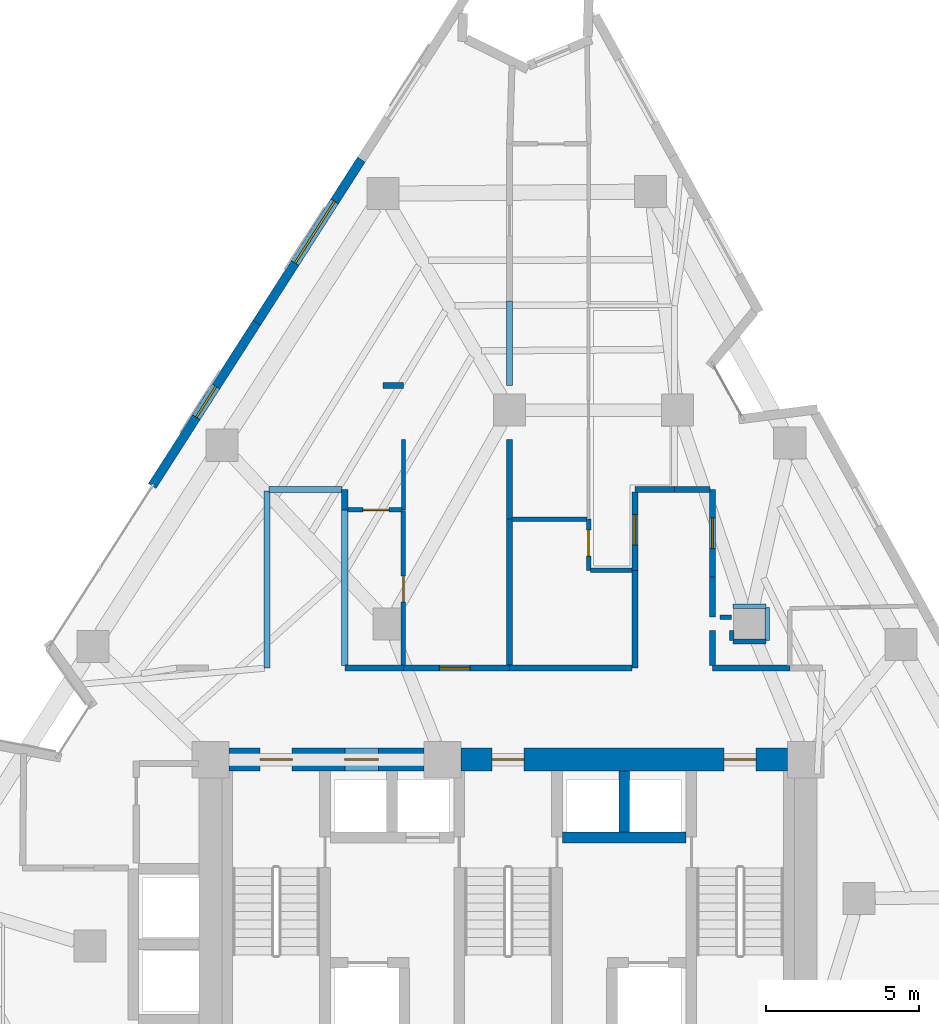
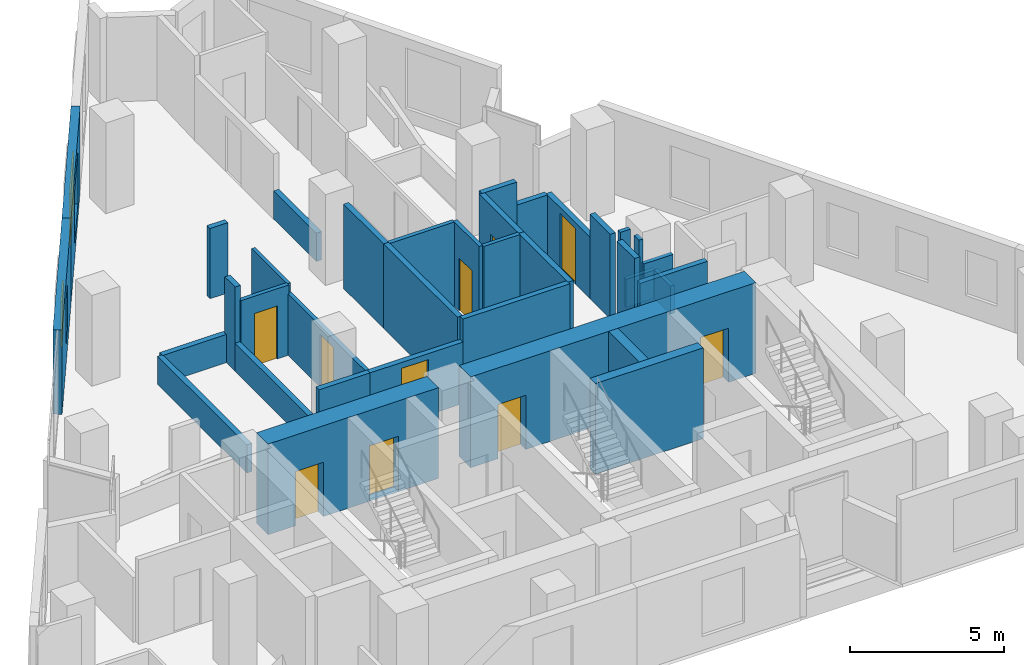
# One storey, part 6 of 10: 36 walls, 10 doors, 2 windows, 12 openings.
"""IFC4 building model written with IfcOpenShell, lengths in metres."""

from ifc_helpers import new_model, si_unit, direction, frame, frame_2d, origin, place, context, subcontext, project, spatial, rectangle, extrude, material, layer, layer_set, type_object, element, fill, save


model = new_model("IFC4")

# Units and contexts
model_context = context("Model", 3, precision=1e-05, world=origin(), true_north=direction((0.0, 1.0)))
body_context = subcontext(model_context, "Body", "Model", "MODEL_VIEW")
ifc_project = project(units=[si_unit("LENGTHUNIT", "METRE"), si_unit("AREAUNIT", "SQUARE_METRE"), si_unit("VOLUMEUNIT", "CUBIC_METRE"), si_unit("PLANEANGLEUNIT", "RADIAN"), si_unit("MASSUNIT", "GRAM", prefix="KILO")], contexts=[model_context])

# Site, building, storey
site_placement = place(None, origin())
site = spatial("IfcSite", under=ifc_project, at=site_placement, CompositionType="ELEMENT")
building_placement = place(site_placement, origin())
building = spatial("IfcBuilding", under=site, at=building_placement, Name="Almagre Mirador Tower", CompositionType="ELEMENT")
storey_placement = place(building_placement, frame((0.0, 0.0, 171.60009765625)))
storey = spatial("IfcBuildingStorey", under=building, at=storey_placement, Name="L44", CompositionType="ELEMENT", Elevation=171.60009765625)

# Wall, opening, window
ifc_material_1 = material(Name="Precast concrete C50/60", Category="concrete")
ifc_layer_1 = layer(ifc_material_1, 0.300048828125)
ifc_layer_set_1 = layer_set([ifc_layer_1], Name="Precast concrete C50/60")
wall_type_1 = type_object("IfcWallType", Name="WAL-EXT-300", PredefinedType="SOLIDWALL", material=ifc_layer_set_1)
wall_1_placement = place(storey_placement, frame((25.6416015625, 23.712890625, 0.0), z_axis=(0.0, 0.0, 1.0), x_axis=(0.539505373447, 0.841982156593, 0.0)))
wall_1 = element("IfcWall", 1, at=wall_1_placement, inside=storey, type_object=wall_type_1, Name="L44 expressed almagre precast frame wall 03", PredefinedType="SOLIDWALL", context=body_context, shape_type="SweptSolid", body=[
    extrude(rectangle(XDim=6.348876953125, YDim=0.300048828125, at=frame_2d((3.17431640625, 0.0))), origin(), (0.0, 0.0, 1.0), 3.349853515625),
])
opening_1_placement = place(wall_1_placement, frame((2.675048828125, 0.0, 0.800048828125)))
opening_1 = element("IfcOpeningElement", 2, at=opening_1_placement, cuts=wall_1, Name="Opening WN-04", PredefinedType="OPENING", context=body_context, shape_type="SweptSolid", body=[
    extrude(rectangle(XDim=1.199951171875, YDim=1.800048828125, at=frame_2d((0.60009765625, 0.89990234375))), frame((0.0, 0.159902, 0.0), z_axis=(0.0, -1.0, 0.0), x_axis=(1.0, 0.0, 0.0)), (0.0, 0.0, 1.0), 0.320049),
])
ifc_material_2 = material(Name="Dark solar-control laminated hurricane glass", Category="glass")
window_type_1 = type_object("IfcWindowType", Name="WIN-1200X1800", PartitioningType="SINGLE_PANEL", PredefinedType="WINDOW", material=ifc_material_2)
window_1_placement = place(opening_1_placement, origin())
window_1 = element("IfcWindow", 3, at=window_1_placement, inside=storey, type_object=window_type_1, Name="L44 recessed hurricane window L44-UD-ST", OverallHeight=1.800048828125, OverallWidth=1.199951171875, PartitioningType="SINGLE_PANEL", PredefinedType="WINDOW", context=body_context, shape_type="SweptSolid", body=[
    extrude(rectangle(XDim=1.199951171875, YDim=1.800048828125, at=frame_2d((0.60009765625, 0.89990234375))), frame((0.0, 0.030029296875, 0.0), z_axis=(0.0, -1.0, 0.0), x_axis=(1.0, 0.0, 0.0)), (0.0, 0.0, 1.0), 0.06005859375),
])
fill(opening_1, window_1)

wall_2_placement = place(storey_placement, frame((29.06689453125, 29.05859375, 0.0), z_axis=(0.0, 0.0, 1.0), x_axis=(0.539505373447, 0.841982156593, 0.0)))
wall_2 = element("IfcWall", 4, at=wall_2_placement, inside=storey, type_object=wall_type_1, Name="L44 expressed almagre precast frame wall 04", PredefinedType="SOLIDWALL", context=body_context, shape_type="SweptSolid", body=[
    extrude(rectangle(XDim=6.348876953125, YDim=0.300048828125, at=frame_2d((3.17431640625, 0.0))), origin(), (0.0, 0.0, 1.0), 3.349853515625),
])
opening_2_placement = place(wall_2_placement, frame((2.324951171875, 0.0, 0.60009765625)))
opening_2 = element("IfcOpeningElement", 5, at=opening_2_placement, cuts=wall_2, Name="Opening WN-02", PredefinedType="OPENING", context=body_context, shape_type="SweptSolid", body=[
    extrude(rectangle(XDim=2.39990234375, YDim=2.10009765625, at=frame_2d((1.199951171875, 1.050048828125))), frame((0.0, 0.159902, 0.0), z_axis=(0.0, -1.0, 0.0), x_axis=(1.0, 0.0, 0.0)), (0.0, 0.0, 1.0), 0.320049),
])
ifc_material_3 = material(Name="Dark solar-control laminated hurricane glass", Category="glass")
window_type_2 = type_object("IfcWindowType", Name="WIN-2400X2100", PartitioningType="TRIPLE_PANEL_VERTICAL", PredefinedType="WINDOW", material=ifc_material_3)
window_2_placement = place(opening_2_placement, origin())
window_2 = element("IfcWindow", 6, at=window_2_placement, inside=storey, type_object=window_type_2, Name="L44 recessed hurricane window L44-UG-BT", OverallHeight=2.10009765625, OverallWidth=2.39990234375, PartitioningType="SINGLE_PANEL", PredefinedType="WINDOW", context=body_context, shape_type="SweptSolid", body=[
    extrude(rectangle(XDim=2.39990234375, YDim=2.10009765625, at=frame_2d((1.199951171875, 1.050048828125))), frame((0.0, 0.030029296875, 0.0), z_axis=(0.0, -1.0, 0.0), x_axis=(1.0, 0.0, 0.0)), (0.0, 0.0, 1.0), 0.06005859375),
])
fill(opening_2, window_2)

# Wall
ifc_material_4 = material(Name="Gypsum acoustic stud partition", Category="other")
ifc_layer_2 = layer(ifc_material_4, 0.125)
ifc_layer_set_2 = layer_set([ifc_layer_2], Name="Gypsum acoustic stud partition")
wall_type_2 = type_object("IfcWallType", Name="WAL-PRT-125-UTL", PredefinedType="PARTITIONING", material=ifc_layer_set_2)
wall_3_placement = place(storey_placement, frame((33.8701171875, 22.929931640625, 0.0), z_axis=(0.0, 0.0, 1.0), x_axis=(0.0, 1.0, 0.0)))
element("IfcWall", 7, at=wall_3_placement, inside=storey, type_object=wall_type_2, Name="L44 interior partition 046", PredefinedType="PARTITIONING", context=body_context, shape_type="SweptSolid", body=[
    extrude(rectangle(XDim=2.31005859375, YDim=0.125, at=frame_2d((1.155029296875, 0.0))), origin(), (0.0, 0.0, 1.0), 2.786865234375),
])

# Wall, opening, door
ifc_material_5 = material(Name="Gypsum acoustic stud partition", Category="other")
ifc_layer_3 = layer(ifc_material_5, 0.14990234375)
ifc_layer_set_3 = layer_set([ifc_layer_3], Name="Gypsum acoustic stud partition")
wall_type_3 = type_object("IfcWallType", Name="WAL-PRT-150-STD", PredefinedType="PARTITIONING", material=ifc_layer_set_3)
wall_4_placement = place(storey_placement, frame((32.034912109375, 22.929931640625, 0.0), z_axis=(0.0, 0.0, 1.0), x_axis=(1.0, 0.0, 0.0)))
wall_4 = element("IfcWall", 8, at=wall_4_placement, inside=storey, type_object=wall_type_3, Name="L44 interior partition 047", PredefinedType="PARTITIONING", context=body_context, shape_type="SweptSolid", body=[
    extrude(rectangle(XDim=1.78759765625, YDim=0.14990234375, at=frame_2d((0.893798828125, 0.0))), origin(), (0.0, 0.0, 1.0), 2.786865234375),
])
opening_3_placement = place(wall_4_placement, frame((0.50634765625, 0.0, 0.0)))
opening_3 = element("IfcOpeningElement", 9, at=opening_3_placement, cuts=wall_4, Name="Opening UD-04", PredefinedType="OPENING", context=body_context, shape_type="SweptSolid", body=[
    extrude(rectangle(XDim=0.85009765625, YDim=2.10009765625, at=frame_2d((0.425048828125, 1.050048828125))), frame((0.0, 0.084951, 0.0), z_axis=(0.0, -1.0, 0.0), x_axis=(1.0, 0.0, 0.0)), (0.0, 0.0, 1.0), 0.169902),
])
ifc_material_6 = material(Name="Moisture-resistant oak timber", Category="wood")
door_type_1 = type_object("IfcDoorType", Name="DOR-UNR-850X2100", OperationType="NOTDEFINED", PredefinedType="DOOR", material=ifc_material_6)
door_1_placement = place(opening_3_placement, origin())
door_1 = element("IfcDoor", 10, at=door_1_placement, inside=storey, type_object=door_type_1, Name="DR-1411 L44 interior door L44-UE-ST to L44-UE-BT", OperationType="SINGLE_SWING_RIGHT", OverallHeight=2.10009765625, OverallWidth=0.85009765625, PredefinedType="DOOR", context=body_context, shape_type="SweptSolid", body=[
    extrude(rectangle(XDim=0.85009765625, YDim=2.10009765625, at=frame_2d((0.425048828125, 1.050048828125))), frame((0.0, 0.02490234375, 0.0), z_axis=(0.0, -1.0, 0.0), x_axis=(1.0, 0.0, 0.0)), (0.0, 0.0, 1.0), 0.050048828125),
])
fill(opening_3, door_1)

wall_5_placement = place(storey_placement, frame((33.8701171875, 22.91748046875, 0.0), z_axis=(0.0, 0.0, 1.0), x_axis=(0.0, -1.0, 0.0)))
wall_5 = element("IfcWall", 11, at=wall_5_placement, inside=storey, type_object=wall_type_3, Name="L44 interior partition 049", PredefinedType="PARTITIONING", context=body_context, shape_type="SweptSolid", body=[
    extrude(rectangle(XDim=5.08251953125, YDim=0.14990234375, at=frame_2d((2.541259765625, 0.0))), origin(), (0.0, 0.0, 1.0), 2.435791015625),
])
opening_4_placement = place(wall_5_placement, frame((2.152587890625, 0.0, 0.0)))
opening_4 = element("IfcOpeningElement", 12, at=opening_4_placement, cuts=wall_5, Name="Opening UD-04", PredefinedType="OPENING", context=body_context, shape_type="SweptSolid", body=[
    extrude(rectangle(XDim=0.85009765625, YDim=2.10009765625, at=frame_2d((0.425048828125, 1.050048828125))), frame((0.0, 0.084951, 0.0), z_axis=(0.0, -1.0, 0.0), x_axis=(1.0, 0.0, 0.0)), (0.0, 0.0, 1.0), 0.169902),
])
door_2_placement = place(opening_4_placement, origin())
door_2 = element("IfcDoor", 13, at=door_2_placement, inside=storey, type_object=door_type_1, Name="DR-1420 L44 interior door L44-UE-KT to L44-UE-BT", OperationType="SINGLE_SWING_LEFT", OverallHeight=2.10009765625, OverallWidth=0.85009765625, PredefinedType="DOOR", context=body_context, shape_type="SweptSolid", body=[
    extrude(rectangle(XDim=0.85009765625, YDim=2.10009765625, at=frame_2d((0.425048828125, 1.050048828125))), frame((0.0, 0.02490234375, 0.0), z_axis=(0.0, -1.0, 0.0), x_axis=(1.0, 0.0, 0.0)), (0.0, 0.0, 1.0), 0.050048828125),
])
fill(opening_4, door_2)

wall_6_placement = place(storey_placement, frame((39.93994140625, 22.6298828125, 0.0), z_axis=(0.0, 0.0, 1.0), x_axis=(0.0, -1.0, 0.0)))
wall_6 = element("IfcWall", 14, at=wall_6_placement, inside=storey, type_object=wall_type_3, Name="L44 interior partition 065", PredefinedType="PARTITIONING", context=body_context, shape_type="SweptSolid", body=[
    extrude(rectangle(XDim=1.679931640625, YDim=0.14990234375, at=frame_2d((0.83984375, 0.0))), origin(), (0.0, 0.0, 1.0), 3.349853515625),
])
opening_5_placement = place(wall_6_placement, frame((0.360107421875, 0.0, 0.0)))
opening_5 = element("IfcOpeningElement", 15, at=opening_5_placement, cuts=wall_6, Name="Opening UD-04", PredefinedType="OPENING", context=body_context, shape_type="SweptSolid", body=[
    extrude(rectangle(XDim=0.85009765625, YDim=2.10009765625, at=frame_2d((0.425048828125, 1.050048828125))), frame((0.0, 0.084951, 0.0), z_axis=(0.0, -1.0, 0.0), x_axis=(1.0, 0.0, 0.0)), (0.0, 0.0, 1.0), 0.169902),
])
door_3_placement = place(opening_5_placement, origin())
door_3 = element("IfcDoor", 16, at=door_3_placement, inside=storey, type_object=door_type_1, Name="DR-1416 L44 interior door L44-UH-LV to L44-UH-HB", OperationType="SINGLE_SWING_LEFT", OverallHeight=2.10009765625, OverallWidth=0.85009765625, PredefinedType="DOOR", context=body_context, shape_type="SweptSolid", body=[
    extrude(rectangle(XDim=0.85009765625, YDim=2.10009765625, at=frame_2d((0.425048828125, 1.050048828125))), frame((0.0, 0.02490234375, 0.0), z_axis=(0.0, -1.0, 0.0), x_axis=(1.0, 0.0, 0.0)), (0.0, 0.0, 1.0), 0.050048828125),
])
fill(opening_5, door_3)

# Walls
wall_7_placement = place(storey_placement, frame((40.0, 20.949951171875, 0.0), z_axis=(0.0, 0.0, 1.0), x_axis=(1.0, 0.0, 0.0)))
element("IfcWall", 17, at=wall_7_placement, inside=storey, type_object=wall_type_3, Name="L44 interior partition 066", PredefinedType="PARTITIONING", context=body_context, shape_type="SweptSolid", body=[
    extrude(rectangle(XDim=1.364990234375, YDim=0.14990234375, at=frame_2d((0.6826171875, 0.0))), origin(), (0.0, 0.0, 1.0), 3.349853515625),
])
wall_8_placement = place(storey_placement, frame((39.8798828125, 22.6298828125, 0.0), z_axis=(0.0, 0.0, 1.0), x_axis=(-1.0, 0.0, 0.0)))
element("IfcWall", 18, at=wall_8_placement, inside=storey, type_object=wall_type_3, Name="L44 interior partition 069", PredefinedType="PARTITIONING", context=body_context, shape_type="SweptSolid", body=[
    extrude(rectangle(XDim=2.44482421875, YDim=0.14990234375, at=frame_2d((1.222412109375, 0.0))), origin(), (0.0, 0.0, 1.0), 3.349853515625),
])
wall_9_placement = place(storey_placement, frame((44.239990234375, 19.419921875, 0.0), z_axis=(0.0, 0.0, 1.0), x_axis=(1.0, 0.0, 0.0)))
element("IfcWall", 19, at=wall_9_placement, inside=storey, type_object=wall_type_3, Name="L44 interior partition 082", PredefinedType="PARTITIONING", context=body_context, shape_type="SweptSolid", body=[
    extrude(rectangle(XDim=0.380126953125, YDim=0.14990234375, at=frame_2d((0.18994140625, 0.0))), origin(), (0.0, 0.0, 1.0), 3.349853515625),
])
wall_10_placement = place(storey_placement, frame((44.659912109375, 19.780029296875, 0.0), z_axis=(0.0, 0.0, 1.0), x_axis=(1.0, 0.0, 0.0)))
element("IfcWall", 20, at=wall_10_placement, inside=storey, type_object=wall_type_3, Name="L44 interior partition 083", PredefinedType="PARTITIONING", context=body_context, shape_type="SweptSolid", body=[
    extrude(rectangle(XDim=1.090087890625, YDim=0.14990234375, at=frame_2d((0.544921875, 0.0))), origin(), (0.0, 0.0, 1.0), 1.119873046875),
])
wall_11_placement = place(storey_placement, frame((45.7900390625, 19.739990234375, 0.0), z_axis=(0.0, 0.0, 1.0), x_axis=(0.0, -1.0, 0.0)))
element("IfcWall", 21, at=wall_11_placement, inside=storey, type_object=wall_type_3, Name="L44 interior partition 084", PredefinedType="PARTITIONING", context=body_context, shape_type="SweptSolid", body=[
    extrude(rectangle(XDim=1.080078125, YDim=0.14990234375, at=frame_2d((0.5400390625, 0.0))), origin(), (0.0, 0.0, 1.0), 1.119873046875),
])
wall_12_placement = place(storey_placement, frame((45.75, 18.6201171875, 0.0), z_axis=(0.0, 0.0, 1.0), x_axis=(-1.0, 0.0, 0.0)))
element("IfcWall", 22, at=wall_12_placement, inside=storey, type_object=wall_type_3, Name="L44 interior partition 085", PredefinedType="PARTITIONING", context=body_context, shape_type="SweptSolid", body=[
    extrude(rectangle(XDim=1.090087890625, YDim=0.14990234375, at=frame_2d((0.544921875, 0.0))), origin(), (0.0, 0.0, 1.0), 2.435791015625),
])
wall_13_placement = place(storey_placement, frame((44.6201171875, 18.659912109375, 0.0), z_axis=(0.0, 0.0, 1.0), x_axis=(0.0, 1.0, 0.0)))
element("IfcWall", 23, at=wall_13_placement, inside=storey, type_object=wall_type_3, Name="L44 interior partition 086", PredefinedType="PARTITIONING", context=body_context, shape_type="SweptSolid", body=[
    extrude(rectangle(XDim=0.320068359375, YDim=0.14990234375, at=frame_2d((0.16015625, 0.0))), origin(), (0.0, 0.0, 1.0), 3.349853515625),
])
ifc_material_7 = material(Name="Gypsum acoustic stud partition", Category="other")
ifc_layer_4 = layer(ifc_material_7, 0.199951171875)
ifc_layer_set_4 = layer_set([ifc_layer_4], Name="Gypsum acoustic stud partition")
wall_type_4 = type_object("IfcWallType", Name="WAL-PRT-200-EI60", PredefinedType="PARTITIONING", material=ifc_layer_set_4)
wall_14_placement = place(storey_placement, frame((31.949951171875, 22.929931640625, 0.0), z_axis=(0.0, 0.0, 1.0), x_axis=(0.0, 1.0, 0.0)))
element("IfcWall", 24, at=wall_14_placement, inside=storey, type_object=wall_type_4, Name="L44 interior partition 010", PredefinedType="PARTITIONING", context=body_context, shape_type="SweptSolid", body=[
    extrude(rectangle(XDim=0.670166015625, YDim=0.199951171875, at=frame_2d((0.3349609375, 0.0))), origin(), (0.0, 0.0, 1.0), 3.349853515625),
])

# Wall, opening, door
wall_15_placement = place(storey_placement, frame((37.35009765625, 17.75, 0.0), z_axis=(0.0, 0.0, 1.0), x_axis=(-1.0, 0.0, 0.0)))
wall_15 = element("IfcWall", 25, at=wall_15_placement, inside=storey, type_object=wall_type_4, Name="L44 interior partition 012", PredefinedType="PARTITIONING", context=body_context, shape_type="SweptSolid", body=[
    extrude(rectangle(XDim=3.47998046875, YDim=0.199951171875, at=frame_2d((1.739990234375, 0.0))), origin(), (0.0, 0.0, 1.0), 2.435791015625),
])
opening_6_placement = place(wall_15_placement, frame((1.2978515625, 0.0, 0.0)))
opening_6 = element("IfcOpeningElement", 26, at=opening_6_placement, cuts=wall_15, Name="Opening ID-01", PredefinedType="OPENING", context=body_context, shape_type="SweptSolid", body=[
    extrude(rectangle(XDim=1.0, YDim=2.199951171875, at=frame_2d((0.5, 1.10009765625))), frame((0.0, 0.110098, 0.0), z_axis=(0.0, -1.0, 0.0), x_axis=(1.0, 0.0, 0.0)), (0.0, 0.0, 1.0), 0.219951),
])
ifc_material_8 = material(Name="Fire-rated walnut timber", Category="wood")
door_type_2 = type_object("IfcDoorType", Name="DOR-FD60-1000X2200", OperationType="NOTDEFINED", PredefinedType="DOOR", material=ifc_material_8)
door_4_placement = place(opening_6_placement, origin())
door_4 = element("IfcDoor", 27, at=door_4_placement, inside=storey, type_object=door_type_2, Name="DR-1410 L44 interior door L44-RCOR to L44-UE-KT", OperationType="SINGLE_SWING_LEFT", OverallHeight=2.199951171875, OverallWidth=1.0, PredefinedType="DOOR", context=body_context, shape_type="SweptSolid", body=[
    extrude(rectangle(XDim=1.0, YDim=2.199951171875, at=frame_2d((0.5, 1.10009765625))), frame((0.0, 0.02490234375, 0.0), z_axis=(0.0, -1.0, 0.0), x_axis=(1.0, 0.0, 0.0)), (0.0, 0.0, 1.0), 0.050048828125),
])
fill(opening_6, door_4)

# Walls
wall_16_placement = place(storey_placement, frame((33.8701171875, 17.75, 0.0), z_axis=(0.0, 0.0, 1.0), x_axis=(-1.0, 0.0, 0.0)))
element("IfcWall", 28, at=wall_16_placement, inside=storey, type_object=wall_type_4, Name="L44 interior partition 013", PredefinedType="PARTITIONING", context=body_context, shape_type="SweptSolid", body=[
    extrude(rectangle(XDim=1.920166015625, YDim=0.199951171875, at=frame_2d((0.9599609375, 0.0))), origin(), (0.0, 0.0, 1.0), 2.435791015625),
])
wall_17_placement = place(storey_placement, frame((31.949951171875, 17.8349609375, 0.0), z_axis=(0.0, 0.0, 1.0), x_axis=(0.0, 1.0, 0.0)))
element("IfcWall", 29, at=wall_17_placement, inside=storey, type_object=wall_type_4, Name="L44 interior partition 014", PredefinedType="PARTITIONING", context=body_context, shape_type="SweptSolid", body=[
    extrude(rectangle(XDim=5.094970703125, YDim=0.199951171875, at=frame_2d((2.54736328125, 0.0))), origin(), (0.0, 0.0, 1.0), 1.119873046875),
])

# Wall, opening, door
wall_18_placement = place(storey_placement, frame((44.0, 20.739990234375, 0.0), z_axis=(0.0, 0.0, 1.0), x_axis=(0.0, 1.0, 0.0)))
wall_18 = element("IfcWall", 30, at=wall_18_placement, inside=storey, type_object=wall_type_4, Name="L44 interior partition 015", PredefinedType="PARTITIONING", context=body_context, shape_type="SweptSolid", body=[
    extrude(rectangle(XDim=2.860107421875, YDim=0.199951171875, at=frame_2d((1.43017578125, 0.0))), origin(), (0.0, 0.0, 1.0), 2.435791015625),
])
opening_7_placement = place(wall_18_placement, frame((0.929931640625, 0.0, 0.0)))
opening_7 = element("IfcOpeningElement", 31, at=opening_7_placement, cuts=wall_18, Name="Opening ID-01", PredefinedType="OPENING", context=body_context, shape_type="SweptSolid", body=[
    extrude(rectangle(XDim=1.0, YDim=2.199951171875, at=frame_2d((0.5, 1.10009765625))), frame((0.0, 0.110098, 0.0), z_axis=(0.0, -1.0, 0.0), x_axis=(1.0, 0.0, 0.0)), (0.0, 0.0, 1.0), 0.219951),
])
door_5_placement = place(opening_7_placement, origin())
door_5 = element("IfcDoor", 32, at=door_5_placement, inside=storey, type_object=door_type_2, Name="DR-1412 L44 interior door L44-RCOR to L44-UF-ST", OperationType="SINGLE_SWING_LEFT", OverallHeight=2.199951171875, OverallWidth=1.0, PredefinedType="DOOR", context=body_context, shape_type="SweptSolid", body=[
    extrude(rectangle(XDim=1.0, YDim=2.199951171875, at=frame_2d((0.5, 1.10009765625))), frame((0.0, 0.02490234375, 0.0), z_axis=(0.0, -1.0, 0.0), x_axis=(1.0, 0.0, 0.0)), (0.0, 0.0, 1.0), 0.050048828125),
])
fill(opening_7, door_5)

# Walls
wall_19_placement = place(storey_placement, frame((43.9150390625, 23.60009765625, 0.0), z_axis=(0.0, 0.0, 1.0), x_axis=(-1.0, 0.0, 0.0)))
element("IfcWall", 33, at=wall_19_placement, inside=storey, type_object=wall_type_4, Name="L44 interior partition 016", PredefinedType="PARTITIONING", context=body_context, shape_type="SweptSolid", body=[
    extrude(rectangle(XDim=1.1650390625, YDim=0.199951171875, at=frame_2d((0.58251953125, 0.0))), origin(), (0.0, 0.0, 1.0), 2.435791015625),
])
wall_20_placement = place(storey_placement, frame((46.530029296875, 17.75, 0.0), z_axis=(0.0, 0.0, 1.0), x_axis=(-1.0, 0.0, 0.0)))
element("IfcWall", 34, at=wall_20_placement, inside=storey, type_object=wall_type_4, Name="L44 interior partition 019", PredefinedType="PARTITIONING", context=body_context, shape_type="SweptSolid", body=[
    extrude(rectangle(XDim=2.530029296875, YDim=0.199951171875, at=frame_2d((1.26513671875, 0.0))), origin(), (0.0, 0.0, 1.0), 2.435791015625),
])
wall_21_placement = place(storey_placement, frame((44.0, 17.8349609375, 0.0), z_axis=(0.0, 0.0, 1.0), x_axis=(0.0, 1.0, 0.0)))
element("IfcWall", 35, at=wall_21_placement, inside=storey, type_object=wall_type_4, Name="L44 interior partition 020", PredefinedType="PARTITIONING", context=body_context, shape_type="SweptSolid", body=[
    extrude(rectangle(XDim=1.14501953125, YDim=0.199951171875, at=frame_2d((0.572509765625, 0.0))), origin(), (0.0, 0.0, 1.0), 3.349853515625),
])
wall_22_placement = place(storey_placement, frame((42.75, 23.60009765625, 0.0), z_axis=(0.0, 0.0, 1.0), x_axis=(-1.0, 0.0, 0.0)))
element("IfcWall", 36, at=wall_22_placement, inside=storey, type_object=wall_type_4, Name="L44 interior partition 022", PredefinedType="PARTITIONING", context=body_context, shape_type="SweptSolid", body=[
    extrude(rectangle(XDim=1.300048828125, YDim=0.199951171875, at=frame_2d((0.64990234375, 0.0))), origin(), (0.0, 0.0, 1.0), 3.349853515625),
])

# Wall, opening, door
wall_23_placement = place(storey_placement, frame((41.449951171875, 23.514892578125, 0.0), z_axis=(0.0, 0.0, 1.0), x_axis=(0.0, -1.0, 0.0)))
wall_23 = element("IfcWall", 37, at=wall_23_placement, inside=storey, type_object=wall_type_4, Name="L44 interior partition 023", PredefinedType="PARTITIONING", context=body_context, shape_type="SweptSolid", body=[
    extrude(rectangle(XDim=2.56494140625, YDim=0.199951171875, at=frame_2d((1.282470703125, 0.0))), origin(), (0.0, 0.0, 1.0), 3.349853515625),
])
opening_8_placement = place(wall_23_placement, frame((0.739990234375, 0.0, 0.0)))
opening_8 = element("IfcOpeningElement", 38, at=opening_8_placement, cuts=wall_23, Name="Opening ID-01", PredefinedType="OPENING", context=body_context, shape_type="SweptSolid", body=[
    extrude(rectangle(XDim=1.0, YDim=2.199951171875, at=frame_2d((0.5, 1.10009765625))), frame((0.0, 0.110098, 0.0), z_axis=(0.0, -1.0, 0.0), x_axis=(1.0, 0.0, 0.0)), (0.0, 0.0, 1.0), 0.219951),
])
door_6_placement = place(opening_8_placement, origin())
door_6 = element("IfcDoor", 39, at=door_6_placement, inside=storey, type_object=door_type_2, Name="DR-1414 L44 interior door L44-RCOR to L44-UH-LV", OperationType="SINGLE_SWING_LEFT", OverallHeight=2.199951171875, OverallWidth=1.0, PredefinedType="DOOR", context=body_context, shape_type="SweptSolid", body=[
    extrude(rectangle(XDim=1.0, YDim=2.199951171875, at=frame_2d((0.5, 1.10009765625))), frame((0.0, 0.02490234375, 0.0), z_axis=(0.0, -1.0, 0.0), x_axis=(1.0, 0.0, 0.0)), (0.0, 0.0, 1.0), 0.050048828125),
])
fill(opening_8, door_6)

# Walls
wall_24_placement = place(storey_placement, frame((41.449951171875, 20.949951171875, 0.0), z_axis=(0.0, 0.0, 1.0), x_axis=(0.0, -1.0, 0.0)))
element("IfcWall", 40, at=wall_24_placement, inside=storey, type_object=wall_type_4, Name="L44 interior partition 024", PredefinedType="PARTITIONING", context=body_context, shape_type="SweptSolid", body=[
    extrude(rectangle(XDim=3.199951171875, YDim=0.199951171875, at=frame_2d((1.60009765625, 0.0))), origin(), (0.0, 0.0, 1.0), 3.349853515625),
])
wall_25_placement = place(storey_placement, frame((41.364990234375, 17.75, 0.0), z_axis=(0.0, 0.0, 1.0), x_axis=(-1.0, 0.0, 0.0)))
element("IfcWall", 41, at=wall_25_placement, inside=storey, type_object=wall_type_4, Name="L44 interior partition 025", PredefinedType="PARTITIONING", context=body_context, shape_type="SweptSolid", body=[
    extrude(rectangle(XDim=4.014892578125, YDim=0.199951171875, at=frame_2d((2.00732421875, 0.0))), origin(), (0.0, 0.0, 1.0), 3.349853515625),
])
wall_26_placement = place(storey_placement, frame((33.8701171875, 27.0, 0.0), z_axis=(0.0, 0.0, 1.0), x_axis=(-1.0, 0.0, 0.0)))
element("IfcWall", 42, at=wall_26_placement, inside=storey, type_object=wall_type_4, Name="L44 interior partition 048", PredefinedType="PARTITIONING", context=body_context, shape_type="SweptSolid", body=[
    extrude(rectangle(XDim=0.670166015625, YDim=0.199951171875, at=frame_2d((0.3349609375, 0.0))), origin(), (0.0, 0.0, 1.0), 2.786865234375),
])
wall_27_placement = place(storey_placement, frame((37.35009765625, 17.8349609375, 0.0), z_axis=(0.0, 0.0, 1.0), x_axis=(0.0, 1.0, 0.0)))
element("IfcWall", 43, at=wall_27_placement, inside=storey, type_object=wall_type_4, Name="L44 interior partition 050", PredefinedType="PARTITIONING", context=body_context, shape_type="SweptSolid", body=[
    extrude(rectangle(XDim=4.794921875, YDim=0.199951171875, at=frame_2d((2.3974609375, 0.0))), origin(), (0.0, 0.0, 1.0), 3.349853515625),
])
wall_28_placement = place(storey_placement, frame((37.35009765625, 22.6298828125, 0.0), z_axis=(0.0, 0.0, 1.0), x_axis=(0.0, 1.0, 0.0)))
element("IfcWall", 44, at=wall_28_placement, inside=storey, type_object=wall_type_4, Name="L44 interior partition 051", PredefinedType="PARTITIONING", context=body_context, shape_type="SweptSolid", body=[
    extrude(rectangle(XDim=2.610107421875, YDim=0.199951171875, at=frame_2d((1.30517578125, 0.0))), origin(), (0.0, 0.0, 1.0), 3.349853515625),
])
wall_29_placement = place(storey_placement, frame((37.35009765625, 27.0, 0.0), z_axis=(0.0, 0.0, 1.0), x_axis=(0.0, 1.0, 0.0)))
element("IfcWall", 45, at=wall_29_placement, inside=storey, type_object=wall_type_4, Name="L44 interior partition 064", PredefinedType="PARTITIONING", context=body_context, shape_type="SweptSolid", body=[
    extrude(rectangle(XDim=2.780029296875, YDim=0.199951171875, at=frame_2d((1.39013671875, 0.0))), origin(), (0.0, 0.0, 1.0), 1.119873046875),
])
wall_30_placement = place(storey_placement, frame((29.39990234375, 23.550048828125, 0.0), z_axis=(0.0, 0.0, 1.0), x_axis=(0.0, -1.0, 0.0)))
element("IfcWall", 46, at=wall_30_placement, inside=storey, type_object=wall_type_4, Name="L44 interior partition 074", PredefinedType="PARTITIONING", context=body_context, shape_type="SweptSolid", body=[
    extrude(rectangle(XDim=5.800048828125, YDim=0.199951171875, at=frame_2d((2.89990234375, 0.0))), origin(), (0.0, 0.0, 1.0), 1.119873046875),
])
wall_31_placement = place(storey_placement, frame((31.864990234375, 23.60009765625, 0.0), z_axis=(0.0, 0.0, 1.0), x_axis=(-1.0, 0.0, 0.0)))
element("IfcWall", 47, at=wall_31_placement, inside=storey, type_object=wall_type_4, Name="L44 interior partition 076", PredefinedType="PARTITIONING", context=body_context, shape_type="SweptSolid", body=[
    extrude(rectangle(XDim=2.400634765625, YDim=0.199951171875, at=frame_2d((1.2001953125, 0.0))), origin(), (0.0, 0.0, 1.0), 1.119873046875),
])
wall_32_placement = place(storey_placement, frame((44.0, 19.419921875, 0.0), z_axis=(0.0, 0.0, 1.0), x_axis=(0.0, 1.0, 0.0)))
element("IfcWall", 48, at=wall_32_placement, inside=storey, type_object=wall_type_4, Name="L44 interior partition 077", PredefinedType="PARTITIONING", context=body_context, shape_type="SweptSolid", body=[
    extrude(rectangle(XDim=1.320068359375, YDim=0.199951171875, at=frame_2d((0.66015625, 0.0))), origin(), (0.0, 0.0, 1.0), 3.349853515625),
])
ifc_material_9 = material(Name="Concrete C60/75", Category="concrete")
ifc_layer_5 = layer(ifc_material_9, 0.35009765625)
ifc_layer_set_5 = layer_set([ifc_layer_5], Name="Concrete C60/75")
wall_type_5 = type_object("IfcWallType", Name="WAL-SHF-350", PredefinedType="SOLIDWALL", material=ifc_layer_set_5)
wall_33_placement = place(storey_placement, frame((39.074951171875, 12.199951171875, 0.0), z_axis=(0.0, 0.0, 1.0), x_axis=(1.0, 0.0, 0.0)))
element("IfcWall", 49, at=wall_33_placement, inside=storey, type_object=wall_type_5, Name="L44 shaft wall PLH-S", PredefinedType="SOLIDWALL", context=body_context, shape_type="SweptSolid", body=[
    extrude(rectangle(XDim=4.050048828125, YDim=0.35009765625, at=frame_2d((2.02490234375, 0.0))), origin(), (0.0, 0.0, 1.0), 3.599853515625),
])
wall_34_placement = place(storey_placement, frame((41.10009765625, 12.375, 0.0), z_axis=(0.0, 0.0, 1.0), x_axis=(0.0, 1.0, 0.0)))
element("IfcWall", 50, at=wall_34_placement, inside=storey, type_object=wall_type_5, Name="L44 shaft wall PLH-M", PredefinedType="SOLIDWALL", context=body_context, shape_type="SweptSolid", body=[
    extrude(rectangle(XDim=2.0, YDim=0.35009765625, at=frame_2d((1.0, 0.0))), origin(), (0.0, 0.0, 1.0), 3.599853515625),
])

# Wall, openings, doors
ifc_material_10 = material(Name="Concrete C60/75", Category="concrete")
ifc_layer_6 = layer(ifc_material_10, 0.75)
ifc_layer_set_6 = layer_set([ifc_layer_6], Name="Concrete C60/75")
wall_type_6 = type_object("IfcWallType", Name="WAL-SHR-750", PredefinedType="SHEAR", material=ifc_layer_set_6)
wall_35_placement = place(storey_placement, frame((28.14990234375, 14.75, 0.0), z_axis=(0.0, 0.0, 1.0), x_axis=(1.0, 0.0, 0.0)))
wall_35 = element("IfcWall", 51, at=wall_35_placement, inside=storey, type_object=wall_type_6, Name="L44 core shear wall N1", PredefinedType="SHEAR", context=body_context, shape_type="SweptSolid", body=[
    extrude(rectangle(XDim=6.400146484375, YDim=0.75, at=frame_2d((3.2001953125, 0.0))), origin(), (0.0, 0.0, 1.0), 3.599853515625),
])
opening_9_placement = place(wall_35_placement, frame((1.02490234375, 0.0, 0.0)))
opening_9 = element("IfcOpeningElement", 52, at=opening_9_placement, cuts=wall_35, Name="Opening SD-01", PredefinedType="OPENING", context=body_context, shape_type="SweptSolid", body=[
    extrude(rectangle(XDim=1.050048828125, YDim=2.14990234375, at=frame_2d((0.52490234375, 1.074951171875))), frame((0.0, 0.385, 0.0), z_axis=(0.0, -1.0, 0.0), x_axis=(1.0, 0.0, 0.0)), (0.0, 0.0, 1.0), 0.77),
])
opening_10_placement = place(wall_35_placement, frame((3.800048828125, 0.0, 0.0)))
opening_10 = element("IfcOpeningElement", 53, at=opening_10_placement, cuts=wall_35, Name="Opening LD-01", PredefinedType="OPENING", context=body_context, shape_type="SweptSolid", body=[
    extrude(rectangle(XDim=1.10009765625, YDim=2.199951171875, at=frame_2d((0.550048828125, 1.10009765625))), frame((0.0, 0.385, 0.0), z_axis=(0.0, -1.0, 0.0), x_axis=(1.0, 0.0, 0.0)), (0.0, 0.0, 1.0), 0.77),
])
ifc_material_11 = material(Name="Hollow stainless steel", Category="steel")
door_type_3 = type_object("IfcDoorType", Name="DOR-LD-1100X2200", OperationType="DOUBLE_DOOR_SLIDING", PredefinedType="DOOR", material=ifc_material_11)
door_7_placement = place(opening_10_placement, origin())
door_7 = element("IfcDoor", 54, at=door_7_placement, inside=storey, type_object=door_type_3, Name="DR-1423 L44 PL-M1 lift landing door", OperationType="DOUBLE_DOOR_SLIDING", OverallHeight=2.199951171875, OverallWidth=1.10009765625, PredefinedType="DOOR", context=body_context, shape_type="SweptSolid", body=[
    extrude(rectangle(XDim=1.10009765625, YDim=2.199951171875, at=frame_2d((0.550048828125, 1.10009765625))), frame((0.0, 0.02490234375, 0.0), z_axis=(0.0, -1.0, 0.0), x_axis=(1.0, 0.0, 0.0)), (0.0, 0.0, 1.0), 0.050048828125),
])
fill(opening_10, door_7)
ifc_material_12 = material(Name="Fire-rated hollow steel", Category="steel")
door_type_4 = type_object("IfcDoorType", Name="DOR-ST-1050X2150", OperationType="NOTDEFINED", PredefinedType="DOOR", material=ifc_material_12)
door_8_placement = place(opening_9_placement, origin())
door_8 = element("IfcDoor", 55, at=door_8_placement, inside=storey, type_object=door_type_4, Name="DR-1425 L44 protected exit stair ST-1 door", OperationType="SINGLE_SWING_RIGHT", OverallHeight=2.14990234375, OverallWidth=1.050048828125, PredefinedType="DOOR", context=body_context, shape_type="SweptSolid", body=[
    extrude(rectangle(XDim=1.050048828125, YDim=2.14990234375, at=frame_2d((0.52490234375, 1.074951171875))), frame((0.0, 0.02490234375, 0.0), z_axis=(0.0, -1.0, 0.0), x_axis=(1.0, 0.0, 0.0)), (0.0, 0.0, 1.0), 0.050048828125),
])
fill(opening_9, door_8)

wall_36_placement = place(storey_placement, frame((35.75, 14.75, 0.0), z_axis=(0.0, 0.0, 1.0), x_axis=(1.0, 0.0, 0.0)))
wall_36 = element("IfcWall", 56, at=wall_36_placement, inside=storey, type_object=wall_type_6, Name="L44 core shear wall N2", PredefinedType="SHEAR", context=body_context, shape_type="SweptSolid", body=[
    extrude(rectangle(XDim=10.699951171875, YDim=0.75, at=frame_2d((5.35009765625, 0.0))), origin(), (0.0, 0.0, 1.0), 3.599853515625),
])
opening_11_placement = place(wall_36_placement, frame((1.02490234375, 0.0, 0.0)))
opening_11 = element("IfcOpeningElement", 57, at=opening_11_placement, cuts=wall_36, Name="Opening SD-01", PredefinedType="OPENING", context=body_context, shape_type="SweptSolid", body=[
    extrude(rectangle(XDim=1.050048828125, YDim=2.14990234375, at=frame_2d((0.52490234375, 1.074951171875))), frame((0.0, 0.385, 0.0), z_axis=(0.0, -1.0, 0.0), x_axis=(1.0, 0.0, 0.0)), (0.0, 0.0, 1.0), 0.77),
])
opening_12_placement = place(wall_36_placement, frame((8.625, 0.0, 0.0)))
opening_12 = element("IfcOpeningElement", 58, at=opening_12_placement, cuts=wall_36, Name="Opening SD-01", PredefinedType="OPENING", context=body_context, shape_type="SweptSolid", body=[
    extrude(rectangle(XDim=1.050048828125, YDim=2.14990234375, at=frame_2d((0.52490234375, 1.074951171875))), frame((0.0, 0.385, 0.0), z_axis=(0.0, -1.0, 0.0), x_axis=(1.0, 0.0, 0.0)), (0.0, 0.0, 1.0), 0.77),
])
door_9_placement = place(opening_11_placement, origin())
door_9 = element("IfcDoor", 59, at=door_9_placement, inside=storey, type_object=door_type_4, Name="DR-1426 L44 protected exit stair ST-2 door", OperationType="SINGLE_SWING_RIGHT", OverallHeight=2.14990234375, OverallWidth=1.050048828125, PredefinedType="DOOR", context=body_context, shape_type="SweptSolid", body=[
    extrude(rectangle(XDim=1.050048828125, YDim=2.14990234375, at=frame_2d((0.52490234375, 1.074951171875))), frame((0.0, 0.02490234375, 0.0), z_axis=(0.0, -1.0, 0.0), x_axis=(1.0, 0.0, 0.0)), (0.0, 0.0, 1.0), 0.050048828125),
])
fill(opening_11, door_9)
door_10_placement = place(opening_12_placement, origin())
door_10 = element("IfcDoor", 60, at=door_10_placement, inside=storey, type_object=door_type_4, Name="DR-1427 L44 protected exit stair ST-3 door", OperationType="SINGLE_SWING_LEFT", OverallHeight=2.14990234375, OverallWidth=1.050048828125, PredefinedType="DOOR", context=body_context, shape_type="SweptSolid", body=[
    extrude(rectangle(XDim=1.050048828125, YDim=2.14990234375, at=frame_2d((0.52490234375, 1.074951171875))), frame((0.0, 0.02490234375, 0.0), z_axis=(0.0, -1.0, 0.0), x_axis=(1.0, 0.0, 0.0)), (0.0, 0.0, 1.0), 0.050048828125),
])
fill(opening_12, door_10)

save(model, "model.ifc")
